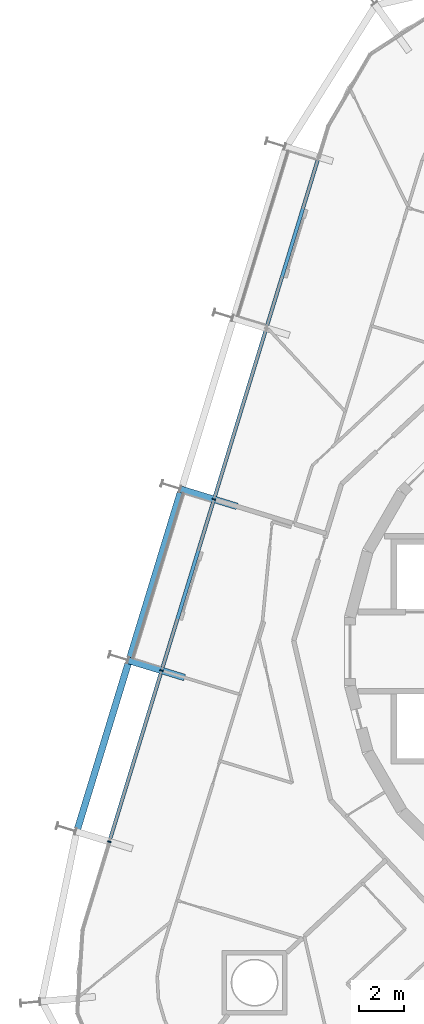
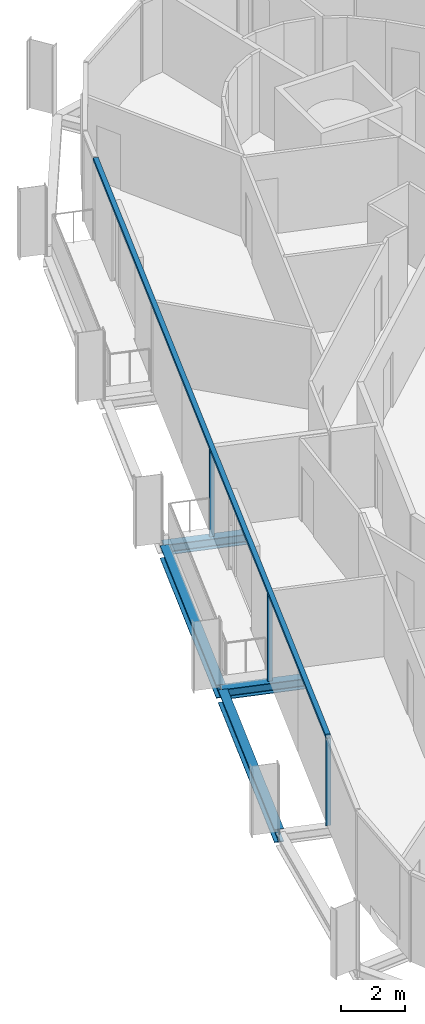
# One storey, part 5 of 18: 4 beams, 4 members, 2 elements without a shape of their own.
"""IFC4 building model written with IfcOpenShell, lengths in metres."""

from ifc_helpers import new_model, si_unit, direction, frame, origin, origin_2d, place, context, subcontext, project, spatial, rectangle, i_section, extrude, material, layer, layer_set, material_profile, profile_set, type_object, element, aggregate, save


model = new_model("IFC4")

# Units and contexts
model_context = context("Model", 3, precision=1e-05, world=origin(), true_north=direction((0.0, 1.0)))
body_context = subcontext(model_context, "Body", "Model", "MODEL_VIEW")
ifc_project = project(units=[si_unit("LENGTHUNIT", "METRE"), si_unit("AREAUNIT", "SQUARE_METRE"), si_unit("VOLUMEUNIT", "CUBIC_METRE"), si_unit("PLANEANGLEUNIT", "RADIAN"), si_unit("MASSUNIT", "GRAM", prefix="KILO")], contexts=[model_context])

# Site, building, storey
site_placement = place(None, origin())
site = spatial("IfcSite", under=ifc_project, at=site_placement, CompositionType="ELEMENT")
building_placement = place(site_placement, origin())
building = spatial("IfcBuilding", under=site, at=building_placement, Name="Spindle Arch Residences", CompositionType="ELEMENT")
storey_placement = place(building_placement, frame((0.0, 0.0, 141.39990234375)))
storey = spatial("IfcBuildingStorey", under=building, at=storey_placement, Name="L35", CompositionType="ELEMENT", Elevation=141.39990234375)

# Curtain wall, members
ifc_material_1 = material(Name="Aluminium bronze unitised frame with tinted glass", Category="aluminium")
ifc_layer_1 = layer(ifc_material_1, 0.159912109375)
ifc_layer_set_1 = layer_set([ifc_layer_1], Name="CW-C typical residential unitised wall")
curtain_wall_type_1 = type_object("IfcCurtainWallType", Name="CW-C typical residential unitised wall", PredefinedType="NOTDEFINED", material=ifc_layer_set_1)
curtain_wall_1_placement = place(storey_placement, origin())
curtain_wall_1 = element("IfcCurtainWall", 1, at=curtain_wall_1_placement, inside=storey, type_object=curtain_wall_type_1, Name="CW-C L35 run 4", PredefinedType="NOTDEFINED")
ifc_material_2 = material(Name="Aluminium bronze anodised mullion", Category="aluminium")
ifc_material_profile_1 = material_profile(ifc_material_2, rectangle(XDim=0.159912109375, YDim=0.06005859375, at=origin_2d()), Name="MU 60x160")
ifc_profile_set_1 = profile_set([ifc_material_profile_1], Name="Aluminium bronze anodised mullion")
member_type_1 = type_object("IfcMemberType", Name="Bronze mullion 60x160", PredefinedType="MULLION", material=ifc_profile_set_1)
member_1_placement = place(storey_placement, frame((-17.750732421875, 6.826171875, -0.3798828125), z_axis=(0.0, 0.0, 1.0), x_axis=(0.956304755963, -0.292371704723, 0.0)))
member_1 = element("IfcMember", 2, at=member_1_placement, type_object=member_type_1, Name="CW-C mullion 14", PredefinedType="MULLION", context=body_context, shape_type="SweptSolid", body=[
    extrude(rectangle(XDim=0.159912109375, YDim=0.06005859375, at=origin_2d()), origin(), (0.0, 0.0, 1.0), 3.31005859375),
])
member_2_placement = place(storey_placement, frame((-20.09814453125, -0.85205078125, -0.3798828125), z_axis=(0.0, 0.0, 1.0), x_axis=(0.956304755963, -0.292371704723, 0.0)))
member_2 = element("IfcMember", 3, at=member_2_placement, type_object=member_type_1, Name="CW-C mullion 15", PredefinedType="MULLION", context=body_context, shape_type="SweptSolid", body=[
    extrude(rectangle(XDim=0.159912109375, YDim=0.06005859375, at=origin_2d()), origin(), (0.0, 0.0, 1.0), 3.31005859375),
])

# Curtain wall, member
ifc_material_3 = material(Name="Aluminium bronze unitised frame with tinted glass", Category="aluminium")
ifc_layer_2 = layer(ifc_material_3, 0.159912109375)
ifc_layer_set_2 = layer_set([ifc_layer_2], Name="CW-D corner wall on the fillet arcs")
curtain_wall_type_2 = type_object("IfcCurtainWallType", Name="CW-D corner wall on the fillet arcs", PredefinedType="NOTDEFINED", material=ifc_layer_set_2)
curtain_wall_2_placement = place(storey_placement, origin())
curtain_wall_2 = element("IfcCurtainWall", 4, at=curtain_wall_2_placement, inside=storey, type_object=curtain_wall_type_2, Name="CW-D L35 run 5", PredefinedType="NOTDEFINED")
member_3_placement = place(storey_placement, frame((-22.44580078125, -8.5302734375, -0.3798828125), z_axis=(0.0, 0.0, 1.0), x_axis=(0.956304755963, -0.292371704723, 0.0)))
member_3 = element("IfcMember", 5, at=member_3_placement, type_object=member_type_1, Name="CW-D mullion 00", PredefinedType="MULLION", context=body_context, shape_type="SweptSolid", body=[
    extrude(rectangle(XDim=0.159912109375, YDim=0.06005859375, at=origin_2d()), origin(), (0.0, 0.0, 1.0), 3.31005859375),
])
aggregate(curtain_wall_2, [member_3])

# Member
ifc_material_4 = material(Name="Aluminium bronze anodised transom", Category="aluminium")
ifc_material_profile_2 = material_profile(ifc_material_4, rectangle(XDim=0.159912109375, YDim=0.1201171875, at=origin_2d()), Name="TR 120x160")
ifc_profile_set_2 = profile_set([ifc_material_profile_2], Name="Aluminium bronze anodised transom")
member_type_2 = type_object("IfcMemberType", Name="Bronze transom 120x160", PredefinedType="USERDEFINED", material=ifc_profile_set_2)
member_4_placement = place(storey_placement, frame((-13.064453125, 22.154296875, 2.989990234375), z_axis=(-0.292373902287, -0.956304084097, 0.0), x_axis=(0.956304084097, -0.292373902287, 0.0)))
member_4 = element("IfcMember", 6, at=member_4_placement, type_object=member_type_2, Name="CW-C transom 00", ObjectType="TRANSOM", PredefinedType="USERDEFINED", context=body_context, shape_type="SweptSolid", body=[
    extrude(rectangle(XDim=0.159912109375, YDim=0.1201171875, at=origin_2d()), origin(), (0.0, 0.0, 1.0), 32.056640625),
])

aggregate(curtain_wall_1, [member_4, member_1, member_2])

# Beams
ifc_material_5 = material(Name="Steel S460ML, intumescent coating R 120", Category="steel")
ifc_material_profile_3 = material_profile(ifc_material_5, i_section(OverallWidth=0.300048828125, OverallDepth=0.5, WebThickness=0.014404296875, FlangeThickness=0.028076171875, FilletRadius=0.027099609375, at=origin_2d()), Name="HEB 500")
ifc_profile_set_3 = profile_set([ifc_material_profile_3], Name="Steel S460ML, intumescent coating R 120")
beam_type_1 = type_object("IfcBeamType", Name="Exoskeleton edge beam HEB 500", PredefinedType="BEAM", material=ifc_profile_set_3)
beam_1_placement = place(storey_placement, frame((-19.251708984375, 7.1494140625, -0.6298828125), z_axis=(-0.292363030977, -0.95630740775, 0.0), x_axis=(0.95630740775, -0.292363030977, 0.0)))
element("IfcBeam", 7, at=beam_1_placement, inside=storey, type_object=beam_type_1, Name="Exoskeleton edge beam 15", PredefinedType="BEAM", context=body_context, shape_type="SweptSolid", body=[
    extrude(i_section(OverallWidth=0.300048828125, OverallDepth=0.5, WebThickness=0.014404296875, FlangeThickness=0.028076171875, FilletRadius=0.027099609375, at=origin_2d()), origin(), (0.0, 0.0, 1.0), 7.769287109375),
])
beam_2_placement = place(storey_placement, frame((-21.599365234375, -0.529052734375, -0.6298828125), z_axis=(-0.292371816855, -0.956304721681, 0.0), x_axis=(0.956304721681, -0.292371816855, 0.0)))
element("IfcBeam", 8, at=beam_2_placement, inside=storey, type_object=beam_type_1, Name="Exoskeleton edge beam 16", PredefinedType="BEAM", context=body_context, shape_type="SweptSolid", body=[
    extrude(i_section(OverallWidth=0.300048828125, OverallDepth=0.5, WebThickness=0.014404296875, FlangeThickness=0.028076171875, FilletRadius=0.027099609375, at=origin_2d()), origin(), (0.0, 0.0, 1.0), 7.76904296875),
])
ifc_material_6 = material(Name="Steel S460ML, intumescent coating R 120", Category="steel")
ifc_material_profile_4 = material_profile(ifc_material_6, i_section(OverallWidth=0.300048828125, OverallDepth=0.389892578125, WebThickness=0.010986328125, FlangeThickness=0.01904296875, FilletRadius=0.027099609375, at=origin_2d()), Name="HEA 400")
ifc_profile_set_4 = profile_set([ifc_material_profile_4], Name="Steel S460ML, intumescent coating R 120")
beam_type_2 = type_object("IfcBeamType", Name="Floor outrigger HEA 400", PredefinedType="BEAM", material=ifc_profile_set_4)
for number, where, z_axis, x_axis, name in (
    (9, (-19.252197265625, 7.285400390625, -0.574951171875), (0.956291475666, -0.292415139091, 0.0), (0.292415139091, 0.956291475666, 0.0), "Floor outrigger 15"),
    (10, (-21.599609375, -0.39306640625, -0.574951171875), (0.956291475666, -0.292415139091, 0.0), (0.292415139091, 0.956291475666, 0.0), "Floor outrigger 16"),
):
    element("IfcBeam", number, at=place(storey_placement, frame(where, z_axis=z_axis, x_axis=x_axis)), inside=storey, type_object=beam_type_2, Name=name, PredefinedType="BEAM", context=body_context, shape_type="SweptSolid", body=[
        extrude(i_section(OverallWidth=0.300048828125, OverallDepth=0.389892578125, WebThickness=0.010986328125, FlangeThickness=0.01904296875, FilletRadius=0.027099609375, at=origin_2d()), origin(), (0.0, 0.0, 1.0), 2.64990234375),
    ])

save(model, "model.ifc")
